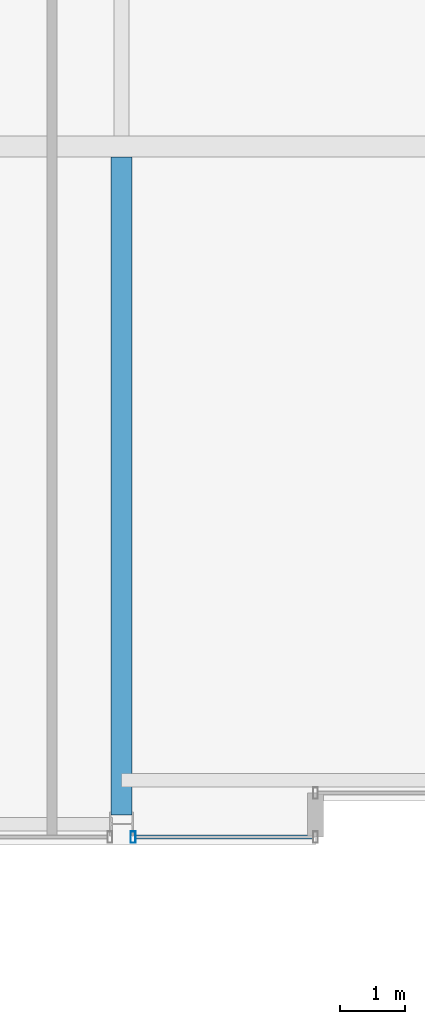
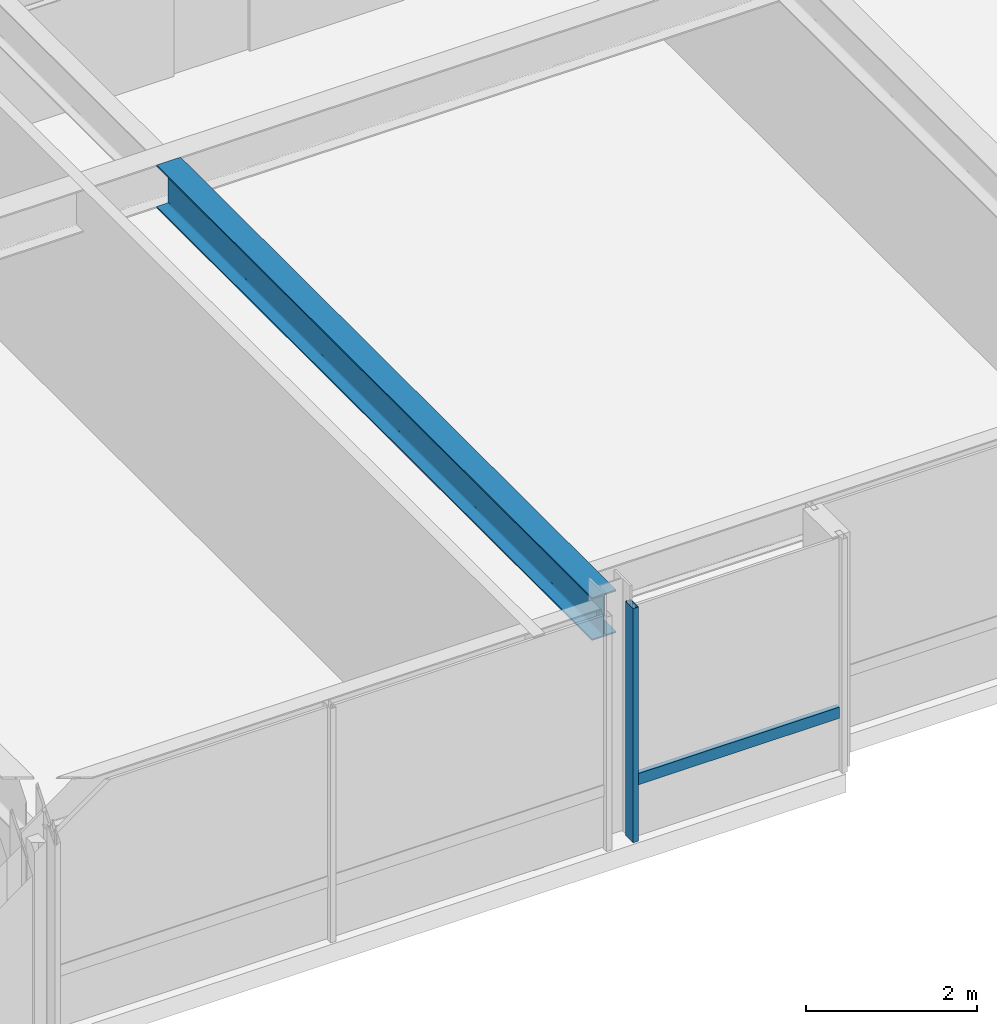
# One storey, part 4 of 31: 2 members, 1 beam, 1 element without a shape of its own.
"""IFC4 building model written with IfcOpenShell, lengths in metres."""

from ifc_helpers import new_model, si_unit, direction, frame, origin, origin_2d, place, context, subcontext, project, spatial, hollow_rectangle, i_section, extrude, material, layer, layer_set, material_profile, profile_set, type_object, element, aggregate, save


model = new_model("IFC4")

# Units and contexts
model_context = context("Model", 3, precision=1e-05, world=origin(), true_north=direction((0.0, 1.0)))
body_context = subcontext(model_context, "Body", "Model", "MODEL_VIEW")
ifc_project = project(units=[si_unit("LENGTHUNIT", "METRE"), si_unit("AREAUNIT", "SQUARE_METRE"), si_unit("VOLUMEUNIT", "CUBIC_METRE"), si_unit("PLANEANGLEUNIT", "RADIAN"), si_unit("MASSUNIT", "GRAM", prefix="KILO")], contexts=[model_context])

# Site, building, storey
site_placement = place(None, origin())
site = spatial("IfcSite", under=ifc_project, at=site_placement, CompositionType="ELEMENT")
building_placement = place(site_placement, origin())
building = spatial("IfcBuilding", under=site, at=building_placement, Name="Drelvath Grand Hotel", CompositionType="ELEMENT")
storey_placement = place(building_placement, frame((0.0, 0.0, 244.699951171875)))
storey = spatial("IfcBuildingStorey", under=building, at=storey_placement, Name="L64", CompositionType="ELEMENT", Elevation=244.699951171875)

# Curtain wall, members
ifc_material_1 = material(Name="Platinum-Mist Anodised Aluminium Frame", Category="aluminium")
ifc_layer = layer(ifc_material_1, 0.199951171875)
ifc_layer_set = layer_set([ifc_layer], Name="Platinum-Mist Anodised Aluminium Frame")
curtain_wall_type = type_object("IfcCurtainWallType", Name="Stick Curtain Wall CW-05 Platinum Mist High-Rise", PredefinedType="NOTDEFINED", material=ifc_layer_set)
curtain_wall_placement = place(storey_placement, origin())
curtain_wall = element("IfcCurtainWall", 1, at=curtain_wall_placement, inside=storey, type_object=curtain_wall_type, Name="L64 CW-05 Curtain Wall CW05-L64-SW3", PredefinedType="NOTDEFINED")
ifc_material_profile_1 = material_profile(ifc_material_1, hollow_rectangle(XDim=0.06494140625, YDim=0.159912109375, WallThickness=0.00390625, at=origin_2d()), Name="HSS160X65X4")
ifc_profile_set_1 = profile_set([ifc_material_profile_1], Name="Platinum-Mist Anodised Aluminium Frame")
member_type_1 = type_object("IfcMemberType", Name="Curtain Wall Horizontal Transom CW-05 HSS160X65X4", PredefinedType="USERDEFINED", material=ifc_profile_set_1)
member_1_placement = place(storey_placement, frame((-5.43994140625, 0.1201171875, 0.8349609375), z_axis=(-1.0, 0.0, 0.0), x_axis=(0.0, -1.0, 0.0)))
member_1 = element("IfcMember", 2, at=member_1_placement, type_object=member_type_1, Name="CW05-L64-SW3 Sill Transom", ObjectType="TRANSOM", PredefinedType="USERDEFINED", context=body_context, shape_type="SweptSolid", body=[
    extrude(hollow_rectangle(XDim=0.06494140625, YDim=0.159912109375, WallThickness=0.00390625, at=origin_2d()), origin(), (0.0, 0.0, 1.0), 2.741943359375),
])
ifc_material_profile_2 = material_profile(ifc_material_1, hollow_rectangle(XDim=0.074951171875, YDim=0.179931640625, WallThickness=0.0048828125, at=origin_2d()), Name="HSS180X75X5")
ifc_profile_set_2 = profile_set([ifc_material_profile_2], Name="Platinum-Mist Anodised Aluminium Frame")
member_type_2 = type_object("IfcMemberType", Name="Curtain Wall Vertical Mullion CW-05 HSS180X75X5", PredefinedType="MULLION", material=ifc_profile_set_2)
member_2_placement = place(storey_placement, frame((-8.2216796875, 0.1201171875, 0.0), z_axis=(0.0, 0.0, 1.0), x_axis=(1.0, 0.0, 0.0)))
member_2 = element("IfcMember", 3, at=member_2_placement, type_object=member_type_2, Name="CW05-L64-SW3 Mullion 2", PredefinedType="MULLION", context=body_context, shape_type="SweptSolid", body=[
    extrude(hollow_rectangle(XDim=0.074951171875, YDim=0.179931640625, WallThickness=0.0048828125, at=origin_2d()), origin(), (0.0, 0.0, 1.0), 3.340087890625),
])
aggregate(curtain_wall, [member_2, member_1])

# Beam
ifc_material_2 = material(Name="Steel ASTM A992 Gr 50", Category="steel")
ifc_material_profile_3 = material_profile(ifc_material_2, i_section(OverallWidth=0.323974609375, OverallDepth=0.611083984375, WebThickness=0.0126953125, FlangeThickness=0.01904296875, FilletRadius=0.02197265625, at=origin_2d()), Name="W24X104")
ifc_profile_set_3 = profile_set([ifc_material_profile_3], Name="Steel ASTM A992 Gr 50")
beam_type = type_object("IfcBeamType", Name="Primary Floor Girder W24X104", PredefinedType="BEAM", material=ifc_profile_set_3)
beam_placement = place(storey_placement, frame((-8.39990234375, 0.4599609375, 3.034423828125), z_axis=(0.0, 1.0, 0.0), x_axis=(-1.0, 0.0, 0.0)))
element("IfcBeam", 4, at=beam_placement, inside=storey, type_object=beam_type, Name="L64 South Wing Girder 4", PredefinedType="BEAM", context=body_context, shape_type="SweptSolid", body=[
    extrude(i_section(OverallWidth=0.323974609375, OverallDepth=0.611083984375, WebThickness=0.0126953125, FlangeThickness=0.01904296875, FilletRadius=0.02197265625, at=origin_2d()), origin(), (0.0, 0.0, 1.0), 10.177978515625),
])

save(model, "model.ifc")
